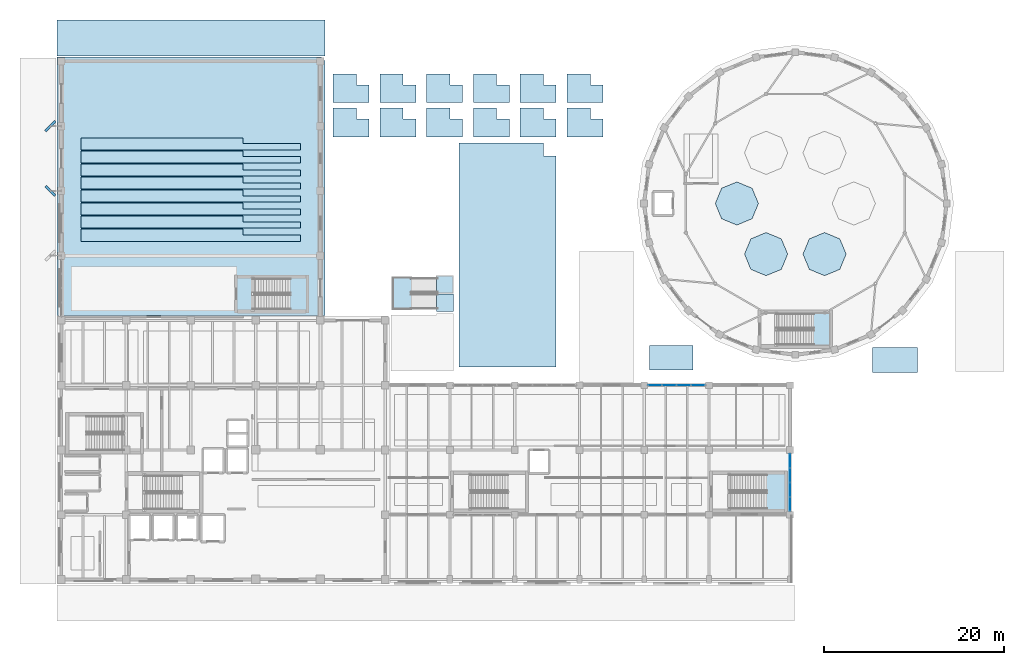
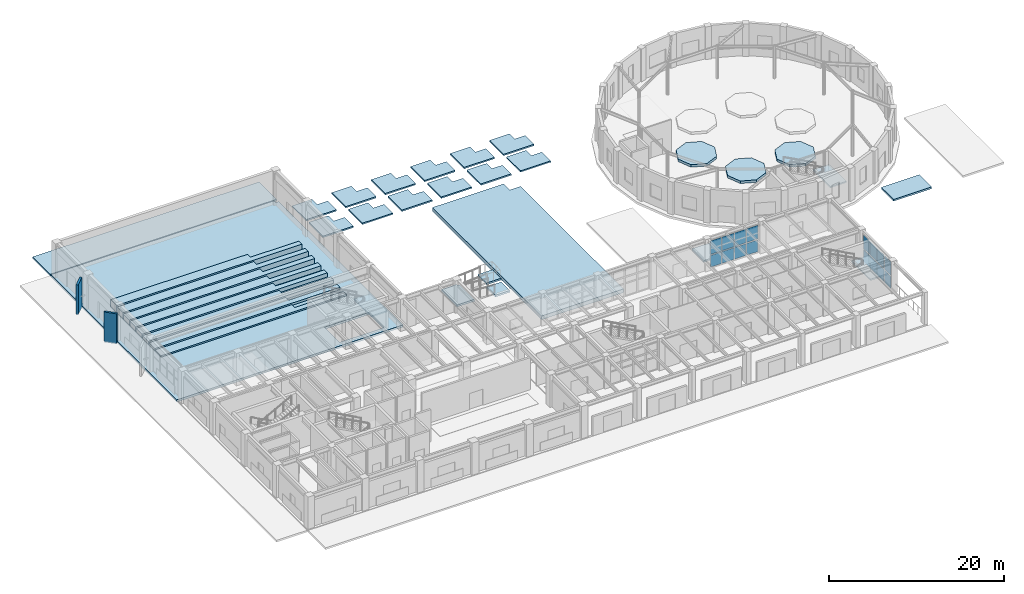
# One storey, part 21 of 39: 34 slabs, 18 plates, 5 elements without a shape of their own.
"""IFC4 building model written with IfcOpenShell, lengths in metres."""

from ifc_helpers import new_model, si_unit, direction, frame, origin, origin_2d, place, context, subcontext, project, spatial, polyline, rectangle, outline, extrude, material, layer, layer_set, type_object, element, aggregate, save


model = new_model("IFC4")

# Units and contexts
model_context = context("Model", 3, precision=1e-05, world=origin(), true_north=direction((0.0, 1.0)))
body_context = subcontext(model_context, "Body", "Model", "MODEL_VIEW")
ifc_project = project(units=[si_unit("LENGTHUNIT", "METRE"), si_unit("AREAUNIT", "SQUARE_METRE"), si_unit("VOLUMEUNIT", "CUBIC_METRE"), si_unit("PLANEANGLEUNIT", "RADIAN"), si_unit("MASSUNIT", "GRAM", prefix="KILO")], contexts=[model_context])

# Site, building, storey
site_placement = place(None, origin())
site = spatial("IfcSite", under=ifc_project, at=site_placement, CompositionType="ELEMENT")
building_placement = place(site_placement, origin())
building = spatial("IfcBuilding", under=site, at=building_placement, Name="Kandorven Conservatory and Botanical Research Centre", CompositionType="ELEMENT")
storey_placement = place(building_placement, origin())
storey = spatial("IfcBuildingStorey", under=building, at=storey_placement, Name="L00", CompositionType="ELEMENT", Elevation=0.0)

# Curtain wall, plates
ifc_material_1 = material(Name="Bronze anodised thermally broken aluminium", Category="aluminium")
ifc_layer_1 = layer(ifc_material_1, 0.179931640625)
ifc_layer_set_1 = layer_set([ifc_layer_1], Name="Bronze anodised thermally broken aluminium")
curtain_wall_type = type_object("IfcCurtainWallType", Name="CW_Unitised", PredefinedType="USERDEFINED", material=ifc_layer_set_1)
curtain_wall_1_placement = place(storey_placement, origin())
curtain_wall_1 = element("IfcCurtainWall", 1, at=curtain_wall_1_placement, inside=storey, type_object=curtain_wall_type, Name="Visitor wing unitised curtain wall CW-VIS-N-L00-5", ObjectType="UNITISED GLAZING", PredefinedType="USERDEFINED")
ifc_material_2 = material(Name="Double-glazed solar-control low-E glass", Category="glass")
ifc_layer_2 = layer(ifc_material_2, 0.028076171875)
ifc_layer_set_2 = layer_set([ifc_layer_2], Name="Double-glazed solar-control low-E glass")
plate_type_1 = type_object("IfcPlateType", Name="CW_Panel", PredefinedType="CURTAIN_PANEL", material=ifc_layer_set_2)
plate_1_placement = place(storey_placement, frame((72.001220703125, 27.60009765625, 0.14990234375), z_axis=(0.0, 0.0, 1.0), x_axis=(1.0, 0.0, 0.0)))
plate_1 = element("IfcPlate", 2, at=plate_1_placement, type_object=plate_type_1, Name="CW-01 panel 1.1", PredefinedType="CURTAIN_PANEL", context=body_context, shape_type="SweptSolid", body=[
    extrude(rectangle(XDim=1.492431640625, YDim=0.028076171875, at=origin_2d()), origin(), (0.0, 0.0, 1.0), 1.625),
])
plate_2_placement = place(storey_placement, frame((72.001220703125, 27.60009765625, 1.925048828125), z_axis=(0.0, 0.0, 1.0), x_axis=(1.0, 0.0, 0.0)))
plate_2 = element("IfcPlate", 3, at=plate_2_placement, type_object=plate_type_1, Name="CW-01 panel 1.2", PredefinedType="CURTAIN_PANEL", context=body_context, shape_type="SweptSolid", body=[
    extrude(rectangle(XDim=1.492431640625, YDim=0.028076171875, at=origin_2d()), origin(), (0.0, 0.0, 1.0), 1.89501953125),
])
plate_3_placement = place(storey_placement, frame((73.59375, 27.60009765625, 0.14990234375), z_axis=(0.0, 0.0, 1.0), x_axis=(1.0, 0.0, 0.0)))
plate_3 = element("IfcPlate", 4, at=plate_3_placement, type_object=plate_type_1, Name="CW-01 panel 2.1", PredefinedType="CURTAIN_PANEL", context=body_context, shape_type="SweptSolid", body=[
    extrude(rectangle(XDim=1.532470703125, YDim=0.028076171875, at=origin_2d()), origin(), (0.0, 0.0, 1.0), 1.625),
])
plate_4_placement = place(storey_placement, frame((73.59375, 27.60009765625, 1.925048828125), z_axis=(0.0, 0.0, 1.0), x_axis=(1.0, 0.0, 0.0)))
plate_4 = element("IfcPlate", 5, at=plate_4_placement, type_object=plate_type_1, Name="CW-01 panel 2.2", PredefinedType="CURTAIN_PANEL", context=body_context, shape_type="SweptSolid", body=[
    extrude(rectangle(XDim=1.532470703125, YDim=0.028076171875, at=origin_2d()), origin(), (0.0, 0.0, 1.0), 1.89501953125),
])
plate_5_placement = place(storey_placement, frame((75.206298828125, 27.60009765625, 0.14990234375), z_axis=(0.0, 0.0, 1.0), x_axis=(1.0, 0.0, 0.0)))
plate_5 = element("IfcPlate", 6, at=plate_5_placement, type_object=plate_type_1, Name="CW-01 panel 3.1", PredefinedType="CURTAIN_PANEL", context=body_context, shape_type="SweptSolid", body=[
    extrude(rectangle(XDim=1.532470703125, YDim=0.028076171875, at=origin_2d()), origin(), (0.0, 0.0, 1.0), 1.625),
])
plate_6_placement = place(storey_placement, frame((75.206298828125, 27.60009765625, 1.925048828125), z_axis=(0.0, 0.0, 1.0), x_axis=(1.0, 0.0, 0.0)))
plate_6 = element("IfcPlate", 7, at=plate_6_placement, type_object=plate_type_1, Name="CW-01 panel 3.2", PredefinedType="CURTAIN_PANEL", context=body_context, shape_type="SweptSolid", body=[
    extrude(rectangle(XDim=1.532470703125, YDim=0.028076171875, at=origin_2d()), origin(), (0.0, 0.0, 1.0), 1.89501953125),
])
plate_7_placement = place(storey_placement, frame((76.798828125, 27.60009765625, 0.14990234375), z_axis=(0.0, 0.0, 1.0), x_axis=(1.0, 0.0, 0.0)))
plate_7 = element("IfcPlate", 8, at=plate_7_placement, type_object=plate_type_1, Name="CW-01 panel 4.1", PredefinedType="CURTAIN_PANEL", context=body_context, shape_type="SweptSolid", body=[
    extrude(rectangle(XDim=1.492431640625, YDim=0.028076171875, at=origin_2d()), origin(), (0.0, 0.0, 1.0), 1.625),
])
plate_8_placement = place(storey_placement, frame((76.798828125, 27.60009765625, 1.925048828125), z_axis=(0.0, 0.0, 1.0), x_axis=(1.0, 0.0, 0.0)))
plate_8 = element("IfcPlate", 9, at=plate_8_placement, type_object=plate_type_1, Name="CW-01 panel 4.2", PredefinedType="CURTAIN_PANEL", context=body_context, shape_type="SweptSolid", body=[
    extrude(rectangle(XDim=1.492431640625, YDim=0.028076171875, at=origin_2d()), origin(), (0.0, 0.0, 1.0), 1.89501953125),
])
aggregate(curtain_wall_1, [plate_1, plate_2, plate_3, plate_4, plate_5, plate_6, plate_7, plate_8])

curtain_wall_2_placement = place(storey_placement, origin())
curtain_wall_2 = element("IfcCurtainWall", 10, at=curtain_wall_2_placement, inside=storey, type_object=curtain_wall_type, Name="Visitor wing east curtain wall CW-VIS-E-L00-1", ObjectType="UNITISED GLAZING", PredefinedType="USERDEFINED")
plate_9_placement = place(storey_placement, frame((87.0, 14.4013671875, 0.14990234375), z_axis=(0.0, 0.0, 1.0), x_axis=(0.0, 1.0, 0.0)))
plate_9 = element("IfcPlate", 11, at=plate_9_placement, type_object=plate_type_1, Name="CW-01 panel 1.1", PredefinedType="CURTAIN_PANEL", context=body_context, shape_type="SweptSolid", body=[
    extrude(rectangle(XDim=1.492431640625, YDim=0.028076171875, at=origin_2d()), origin(), (0.0, 0.0, 1.0), 1.625),
])
plate_10_placement = place(storey_placement, frame((87.0, 14.4013671875, 1.925048828125), z_axis=(0.0, 0.0, 1.0), x_axis=(0.0, 1.0, 0.0)))
plate_10 = element("IfcPlate", 12, at=plate_10_placement, type_object=plate_type_1, Name="CW-01 panel 1.2", PredefinedType="CURTAIN_PANEL", context=body_context, shape_type="SweptSolid", body=[
    extrude(rectangle(XDim=1.492431640625, YDim=0.028076171875, at=origin_2d()), origin(), (0.0, 0.0, 1.0), 1.89501953125),
])
plate_11_placement = place(storey_placement, frame((87.0, 15.99365234375, 0.14990234375), z_axis=(0.0, 0.0, 1.0), x_axis=(0.0, 1.0, 0.0)))
plate_11 = element("IfcPlate", 13, at=plate_11_placement, type_object=plate_type_1, Name="CW-01 panel 2.1", PredefinedType="CURTAIN_PANEL", context=body_context, shape_type="SweptSolid", body=[
    extrude(rectangle(XDim=1.532470703125, YDim=0.028076171875, at=origin_2d()), origin(), (0.0, 0.0, 1.0), 1.625),
])
plate_12_placement = place(storey_placement, frame((87.0, 15.99365234375, 1.925048828125), z_axis=(0.0, 0.0, 1.0), x_axis=(0.0, 1.0, 0.0)))
plate_12 = element("IfcPlate", 14, at=plate_12_placement, type_object=plate_type_1, Name="CW-01 panel 2.2", PredefinedType="CURTAIN_PANEL", context=body_context, shape_type="SweptSolid", body=[
    extrude(rectangle(XDim=1.532470703125, YDim=0.028076171875, at=origin_2d()), origin(), (0.0, 0.0, 1.0), 1.89501953125),
])
plate_13_placement = place(storey_placement, frame((87.0, 17.606201171875, 0.14990234375), z_axis=(0.0, 0.0, 1.0), x_axis=(0.0, 1.0, 0.0)))
plate_13 = element("IfcPlate", 15, at=plate_13_placement, type_object=plate_type_1, Name="CW-01 panel 3.1", PredefinedType="CURTAIN_PANEL", context=body_context, shape_type="SweptSolid", body=[
    extrude(rectangle(XDim=1.532470703125, YDim=0.028076171875, at=origin_2d()), origin(), (0.0, 0.0, 1.0), 1.625),
])
plate_14_placement = place(storey_placement, frame((87.0, 17.606201171875, 1.925048828125), z_axis=(0.0, 0.0, 1.0), x_axis=(0.0, 1.0, 0.0)))
plate_14 = element("IfcPlate", 16, at=plate_14_placement, type_object=plate_type_1, Name="CW-01 panel 3.2", PredefinedType="CURTAIN_PANEL", context=body_context, shape_type="SweptSolid", body=[
    extrude(rectangle(XDim=1.532470703125, YDim=0.028076171875, at=origin_2d()), origin(), (0.0, 0.0, 1.0), 1.89501953125),
])
plate_15_placement = place(storey_placement, frame((87.0, 19.19873046875, 0.14990234375), z_axis=(0.0, 0.0, 1.0), x_axis=(0.0, 1.0, 0.0)))
plate_15 = element("IfcPlate", 17, at=plate_15_placement, type_object=plate_type_1, Name="CW-01 panel 4.1", PredefinedType="CURTAIN_PANEL", context=body_context, shape_type="SweptSolid", body=[
    extrude(rectangle(XDim=1.492431640625, YDim=0.028076171875, at=origin_2d()), origin(), (0.0, 0.0, 1.0), 1.625),
])
plate_16_placement = place(storey_placement, frame((87.0, 19.19873046875, 1.925048828125), z_axis=(0.0, 0.0, 1.0), x_axis=(0.0, 1.0, 0.0)))
plate_16 = element("IfcPlate", 18, at=plate_16_placement, type_object=plate_type_1, Name="CW-01 panel 4.2", PredefinedType="CURTAIN_PANEL", context=body_context, shape_type="SweptSolid", body=[
    extrude(rectangle(XDim=1.492431640625, YDim=0.028076171875, at=origin_2d()), origin(), (0.0, 0.0, 1.0), 1.89501953125),
])
aggregate(curtain_wall_2, [plate_9, plate_10, plate_11, plate_12, plate_13, plate_14, plate_15, plate_16])

# Plates
ifc_material_3 = material(Name="Precast concrete C40/50 (M50)", Category="concrete")
ifc_layer_3 = layer(ifc_material_3, 0.25)
ifc_layer_set_3 = layer_set([ifc_layer_3], Name="Precast concrete C40/50 (M50)")
plate_type_2 = type_object("IfcPlateType", Name="Fin_BF-03", PredefinedType="USERDEFINED", material=ifc_layer_set_3)
plate_17_placement = place(storey_placement, frame((4.780029296875, 49.199951171875, -0.14990234375), z_axis=(0.0, 0.0, 1.0), x_axis=(-0.707106781187, 0.707106781187, 0.0)))
element("IfcPlate", 19, at=plate_17_placement, inside=storey, type_object=plate_type_2, Name="Auditorium sculpted concrete acoustic fin BF-03", ObjectType="SOLAR FIN", PredefinedType="USERDEFINED", context=body_context, shape_type="SweptSolid", body=[
    extrude(rectangle(XDim=1.52001953125, YDim=0.25, at=origin_2d()), origin(), (0.0, 0.0, 1.0), 4.199951171875),
])
ifc_material_4 = material(Name="Precast concrete C40/50 (M50)", Category="concrete")
ifc_layer_4 = layer(ifc_material_4, 0.2548828125)
ifc_layer_set_4 = layer_set([ifc_layer_4], Name="Precast concrete C40/50 (M50)")
plate_type_3 = type_object("IfcPlateType", Name="Fin_BF-04", PredefinedType="USERDEFINED", material=ifc_layer_set_4)
plate_18_placement = place(storey_placement, frame((4.780029296875, 56.39990234375, -0.14990234375), z_axis=(0.0, 0.0, 1.0), x_axis=(0.707106781187, 0.707106781187, 0.0)))
element("IfcPlate", 20, at=plate_18_placement, inside=storey, type_object=plate_type_3, Name="Auditorium sculpted concrete acoustic fin BF-04", ObjectType="SOLAR FIN", PredefinedType="USERDEFINED", context=body_context, shape_type="SweptSolid", body=[
    extrude(rectangle(XDim=1.580078125, YDim=0.2548828125, at=origin_2d()), origin(), (0.0, 0.0, 1.0), 4.199951171875),
])

# Slabs
ifc_material_5 = material(Name="Concrete C32/40 (M40)", Category="concrete")
ifc_layer_5 = layer(ifc_material_5, 0.39990234375)
ifc_layer_set_5 = layer_set([ifc_layer_5], Name="Concrete C32/40 (M40)")
slab_type_1 = type_object("IfcSlabType", Name="Slab_BS-04", PredefinedType="BASESLAB", material=ifc_layer_set_5)
slab_1_placement = place(storey_placement, frame((0.0, 0.0, -1.0)))
element("IfcSlab", 21, at=slab_1_placement, inside=storey, type_object=slab_type_1, Name="Shaded courtyard evaporative cooling water basin slab", PredefinedType="BASESLAB", context=body_context, shape_type="SweptSolid", body=[
    extrude(outline(polyline([(50.199951171875, 29.60009765625), (61.0, 29.60009765625), (61.0, 53.10009765625), (59.60009765625, 53.10009765625), (59.60009765625, 54.5), (50.199951171875, 54.5), (50.199951171875, 29.60009765625)])), origin(), (0.0, 0.0, 1.0), 0.52001953125),
])
ifc_material_6 = material(Name="Concrete C32/40 (M40)", Category="concrete")
ifc_layer_6 = layer(ifc_material_6, 0.300048828125)
ifc_layer_set_6 = layer_set([ifc_layer_6], Name="Concrete C32/40 (M40)")
slab_type_2 = type_object("IfcSlabType", Name="Slab_SL-03", PredefinedType="FLOOR", material=ifc_layer_set_6)
slab_2_placement = place(storey_placement, frame((0.0, 0.0, -0.300048828125)))
element("IfcSlab", 22, at=slab_2_placement, inside=storey, type_object=slab_type_2, Name="Botanical symposium auditorium L00 floor slab", PredefinedType="FLOOR", context=body_context, shape_type="SweptSolid", body=[
    extrude(outline(polyline([(5.5, 35.360107421875), (35.300048828125, 35.360107421875), (35.300048828125, 63.699951171875), (34.89990234375, 63.699951171875), (34.89990234375, 64.10009765625), (5.5, 64.10009765625), (5.5, 35.360107421875)]), holes=[polyline([(27.300048828125, 36.0), (33.199951171875, 36.0), (33.199951171875, 39.449951171875), (27.300048828125, 39.449951171875), (27.300048828125, 36.0)])]), origin(), (0.0, 0.0, 1.0), 0.300048828125),
])
ifc_material_7 = material(Name="Concrete C32/40 (M40)", Category="concrete")
ifc_layer_7 = layer(ifc_material_7, 0.25)
ifc_layer_set_7 = layer_set([ifc_layer_7], Name="Concrete C32/40 (M40)")
slab_type_3 = type_object("IfcSlabType", Name="Slab_SL-06", PredefinedType="FLOOR", material=ifc_layer_set_7)
slab_3_placement = place(storey_placement, frame((0.0, 0.0, -0.25)))
element("IfcSlab", 23, at=slab_3_placement, inside=storey, type_object=slab_type_3, Name="Courtyard accessible ramp upper arrival deck L00", PredefinedType="FLOOR", context=body_context, shape_type="SweptSolid", body=[
    extrude(outline(polyline([(47.699951171875, 37.820068359375), (49.60009765625, 37.820068359375), (49.60009765625, 39.800048828125), (47.699951171875, 39.800048828125), (47.699951171875, 37.820068359375)])), origin(), (0.0, 0.0, 1.0), 0.25),
])
slab_4_placement = place(storey_placement, frame((0.0, 0.0, -0.25)))
element("IfcSlab", 24, at=slab_4_placement, inside=storey, type_object=slab_type_3, Name="North service and fire-tender access apron", PredefinedType="FLOOR", context=body_context, shape_type="SweptSolid", body=[
    extrude(outline(polyline([(5.5, 64.199951171875), (35.300048828125, 64.199951171875), (35.300048828125, 68.199951171875), (5.5, 68.199951171875), (5.5, 64.199951171875)])), origin(), (0.0, 0.0, 1.0), 0.25),
])
slab_5_placement = place(storey_placement, frame((0.0, 0.0, -0.25)))
element("IfcSlab", 25, at=slab_5_placement, inside=storey, type_object=slab_type_3, Name="Conservatory south-west entry landing apron", PredefinedType="FLOOR", context=body_context, shape_type="SweptSolid", body=[
    extrude(outline(polyline([(71.39990234375, 29.300048828125), (76.199951171875, 29.300048828125), (76.199951171875, 32.0), (71.39990234375, 32.0), (71.39990234375, 29.300048828125)])), origin(), (0.0, 0.0, 1.0), 0.25),
])
slab_6_placement = place(storey_placement, frame((0.0, 0.0, -0.25)))
element("IfcSlab", 26, at=slab_6_placement, inside=storey, type_object=slab_type_3, Name="Conservatory south-east entry landing apron", PredefinedType="FLOOR", context=body_context, shape_type="SweptSolid", body=[
    extrude(outline(polyline([(96.199951171875, 29.0), (101.199951171875, 29.0), (101.199951171875, 31.800048828125), (96.199951171875, 31.800048828125), (96.199951171875, 29.0)])), origin(), (0.0, 0.0, 1.0), 0.25),
])
ifc_material_8 = material(Name="Concrete C32/40 (M40)", Category="concrete")
ifc_layer_8 = layer(ifc_material_8, 0.239990234375)
ifc_layer_set_8 = layer_set([ifc_layer_8], Name="Concrete C32/40 (M40)")
slab_type_4 = type_object("IfcSlabType", Name="Slab_SL-07", PredefinedType="FLOOR", material=ifc_layer_set_8)
slab_7_placement = place(storey_placement, frame((0.0, 0.0, -0.5)))
element("IfcSlab", 27, at=slab_7_placement, inside=storey, type_object=slab_type_4, Name="Courtyard accessible ramp intermediate landing (-0.30 m)", PredefinedType="LANDING", context=body_context, shape_type="SweptSolid", body=[
    extrude(outline(polyline([(42.800048828125, 36.0), (45.050048828125, 36.0), (45.050048828125, 39.35009765625), (44.800048828125, 39.35009765625), (44.800048828125, 39.60009765625), (42.800048828125, 39.60009765625), (42.800048828125, 36.0)])), origin(), (0.0, 0.0, 1.0), 0.260009765625),
])
slab_8_placement = place(storey_placement, frame((0.0, 0.0, -0.739990234375)))
element("IfcSlab", 28, at=slab_8_placement, inside=storey, type_object=slab_type_4, Name="Courtyard accessible ramp lower garden landing (-0.48 m)", PredefinedType="LANDING", context=body_context, shape_type="SweptSolid", body=[
    extrude(outline(polyline([(47.699951171875, 35.800048828125), (49.60009765625, 35.800048828125), (49.60009765625, 37.760009765625), (47.699951171875, 37.760009765625), (47.699951171875, 35.800048828125)])), origin(), (0.0, 0.0, 1.0), 0.260009765625),
])
ifc_material_9 = material(Name="Concrete C32/40 (M40)", Category="concrete")
ifc_layer_9 = layer(ifc_material_9, 0.169921875)
ifc_layer_set_9 = layer_set([ifc_layer_9], Name="Concrete C32/40 (M40)")
slab_type_5 = type_object("IfcSlabType", Name="Slab_SL-13", PredefinedType="FLOOR", material=ifc_layer_set_9)
slab_9_placement = place(storey_placement, origin())
element("IfcSlab", 29, at=slab_9_placement, inside=storey, type_object=slab_type_5, Name="Auditorium stepped seating tier slab 1", PredefinedType="FLOOR", context=body_context, shape_type="SweptSolid", body=[
    extrude(outline(polyline([(8.199951171875, 43.60009765625), (32.60009765625, 43.60009765625), (32.60009765625, 44.300048828125), (26.199951171875, 44.300048828125), (26.199951171875, 44.949951171875), (8.199951171875, 44.949951171875), (8.199951171875, 43.60009765625)])), origin(), (0.0, 0.0, 1.0), 0.199951171875),
])
slab_10_placement = place(storey_placement, origin())
element("IfcSlab", 30, at=slab_10_placement, inside=storey, type_object=slab_type_5, Name="Auditorium stepped seating tier slab 5", PredefinedType="FLOOR", context=body_context, shape_type="SweptSolid", body=[
    extrude(outline(polyline([(8.199951171875, 49.39990234375), (32.60009765625, 49.39990234375), (32.60009765625, 50.10009765625), (26.199951171875, 50.10009765625), (26.199951171875, 50.75), (8.199951171875, 50.75), (8.199951171875, 49.39990234375)])), origin(), (0.0, 0.0, 1.0), 0.679931640625),
])
slab_11_placement = place(storey_placement, frame((0.0, 0.0, -0.199951171875)))
element("IfcSlab", 31, at=slab_11_placement, inside=storey, type_object=slab_type_5, Name="Shaded courtyard stepped stone terrace slab 01", PredefinedType="FLOOR", context=body_context, shape_type="SweptSolid", body=[
    extrude(outline(polyline([(36.199951171875, 55.199951171875), (40.199951171875, 55.199951171875), (40.199951171875, 57.199951171875), (38.800048828125, 57.199951171875), (38.800048828125, 58.39990234375), (36.199951171875, 58.39990234375), (36.199951171875, 55.199951171875)])), origin(), (0.0, 0.0, 1.0), 0.199951171875),
])
slab_12_placement = place(storey_placement, frame((0.0, 0.0, -0.199951171875)))
element("IfcSlab", 32, at=slab_12_placement, inside=storey, type_object=slab_type_5, Name="Shaded courtyard stepped stone terrace slab 05", PredefinedType="FLOOR", context=body_context, shape_type="SweptSolid", body=[
    extrude(outline(polyline([(57.0, 55.199951171875), (61.0, 55.199951171875), (61.0, 57.199951171875), (59.60009765625, 57.199951171875), (59.60009765625, 58.39990234375), (57.0, 58.39990234375), (57.0, 55.199951171875)])), origin(), (0.0, 0.0, 1.0), 0.199951171875),
])
slab_13_placement = place(storey_placement, frame((0.0, 0.0, -0.199951171875)))
element("IfcSlab", 33, at=slab_13_placement, inside=storey, type_object=slab_type_5, Name="Shaded courtyard stepped stone terrace slab 09", PredefinedType="FLOOR", context=body_context, shape_type="SweptSolid", body=[
    extrude(outline(polyline([(46.60009765625, 59.0), (50.60009765625, 59.0), (50.60009765625, 61.0), (49.199951171875, 61.0), (49.199951171875, 62.199951171875), (46.60009765625, 62.199951171875), (46.60009765625, 59.0)])), origin(), (0.0, 0.0, 1.0), 0.199951171875),
])
ifc_material_10 = material(Name="Concrete C32/40 (M40)", Category="concrete")
ifc_layer_10 = layer(ifc_material_10, 0.159912109375)
ifc_layer_set_10 = layer_set([ifc_layer_10], Name="Concrete C32/40 (M40)")
slab_type_6 = type_object("IfcSlabType", Name="Slab_SL-14", PredefinedType="FLOOR", material=ifc_layer_set_10)
slab_14_placement = place(storey_placement, origin())
element("IfcSlab", 34, at=slab_14_placement, inside=storey, type_object=slab_type_6, Name="Auditorium stepped seating tier slab 2", PredefinedType="FLOOR", context=body_context, shape_type="SweptSolid", body=[
    extrude(outline(polyline([(8.199951171875, 45.050048828125), (32.60009765625, 45.050048828125), (32.60009765625, 45.75), (26.199951171875, 45.75), (26.199951171875, 46.39990234375), (8.199951171875, 46.39990234375), (8.199951171875, 45.050048828125)])), origin(), (0.0, 0.0, 1.0), 0.320068359375),
])
slab_15_placement = place(storey_placement, origin())
element("IfcSlab", 35, at=slab_15_placement, inside=storey, type_object=slab_type_6, Name="Auditorium stepped seating tier slab 6", PredefinedType="FLOOR", context=body_context, shape_type="SweptSolid", body=[
    extrude(outline(polyline([(8.199951171875, 50.85009765625), (32.60009765625, 50.85009765625), (32.60009765625, 51.550048828125), (26.199951171875, 51.550048828125), (26.199951171875, 52.199951171875), (8.199951171875, 52.199951171875), (8.199951171875, 50.85009765625)])), origin(), (0.0, 0.0, 1.0), 0.800048828125),
])
slab_16_placement = place(storey_placement, frame((0.0, 0.0, -0.199951171875)))
element("IfcSlab", 36, at=slab_16_placement, inside=storey, type_object=slab_type_6, Name="Shaded courtyard stepped stone terrace slab 02", PredefinedType="FLOOR", context=body_context, shape_type="SweptSolid", body=[
    extrude(outline(polyline([(41.39990234375, 55.199951171875), (45.39990234375, 55.199951171875), (45.39990234375, 57.199951171875), (44.0, 57.199951171875), (44.0, 58.39990234375), (41.39990234375, 58.39990234375), (41.39990234375, 55.199951171875)])), origin(), (0.0, 0.0, 1.0), 0.199951171875),
])
slab_17_placement = place(storey_placement, frame((0.0, 0.0, -0.199951171875)))
element("IfcSlab", 37, at=slab_17_placement, inside=storey, type_object=slab_type_6, Name="Shaded courtyard stepped stone terrace slab 06", PredefinedType="FLOOR", context=body_context, shape_type="SweptSolid", body=[
    extrude(outline(polyline([(62.199951171875, 55.199951171875), (66.199951171875, 55.199951171875), (66.199951171875, 57.199951171875), (64.800048828125, 57.199951171875), (64.800048828125, 58.39990234375), (62.199951171875, 58.39990234375), (62.199951171875, 55.199951171875)])), origin(), (0.0, 0.0, 1.0), 0.199951171875),
])
slab_18_placement = place(storey_placement, frame((0.0, 0.0, -0.199951171875)))
element("IfcSlab", 38, at=slab_18_placement, inside=storey, type_object=slab_type_6, Name="Shaded courtyard stepped stone terrace slab 10", PredefinedType="FLOOR", context=body_context, shape_type="SweptSolid", body=[
    extrude(outline(polyline([(51.800048828125, 59.0), (55.800048828125, 59.0), (55.800048828125, 61.0), (54.39990234375, 61.0), (54.39990234375, 62.199951171875), (51.800048828125, 62.199951171875), (51.800048828125, 59.0)])), origin(), (0.0, 0.0, 1.0), 0.199951171875),
])
ifc_material_11 = material(Name="Concrete C32/40 (M40)", Category="concrete")
ifc_layer_11 = layer(ifc_material_11, 0.14990234375)
ifc_layer_set_11 = layer_set([ifc_layer_11], Name="Concrete C32/40 (M40)")
slab_type_7 = type_object("IfcSlabType", Name="Slab_SL-15", PredefinedType="FLOOR", material=ifc_layer_set_11)
slab_19_placement = place(storey_placement, origin())
element("IfcSlab", 39, at=slab_19_placement, inside=storey, type_object=slab_type_7, Name="Auditorium stepped seating tier slab 3", PredefinedType="FLOOR", context=body_context, shape_type="SweptSolid", body=[
    extrude(outline(polyline([(8.199951171875, 46.5), (32.60009765625, 46.5), (32.60009765625, 47.199951171875), (26.199951171875, 47.199951171875), (26.199951171875, 47.85009765625), (8.199951171875, 47.85009765625), (8.199951171875, 46.5)])), origin(), (0.0, 0.0, 1.0), 0.43994140625),
])
slab_20_placement = place(storey_placement, origin())
element("IfcSlab", 40, at=slab_20_placement, inside=storey, type_object=slab_type_7, Name="Auditorium stepped seating tier slab 7", PredefinedType="FLOOR", context=body_context, shape_type="SweptSolid", body=[
    extrude(outline(polyline([(8.199951171875, 52.300048828125), (32.60009765625, 52.300048828125), (32.60009765625, 53.0), (26.199951171875, 53.0), (26.199951171875, 53.64990234375), (8.199951171875, 53.64990234375), (8.199951171875, 52.300048828125)])), origin(), (0.0, 0.0, 1.0), 0.919921875),
])
slab_21_placement = place(storey_placement, origin())
element("IfcSlab", 41, at=slab_21_placement, inside=storey, type_object=slab_type_7, Name="Conservatory octagonal botanical planting bed plinth 4", PredefinedType="FLOOR", context=body_context, shape_type="SweptSolid", body=[
    extrude(outline(polyline([(83.5, 47.800048828125), (82.797119140625, 49.4970703125), (81.10009765625, 50.199951171875), (79.40283203125, 49.4970703125), (78.699951171875, 47.800048828125), (79.40283203125, 46.102783203125), (81.10009765625, 45.39990234375), (82.797119140625, 46.102783203125), (83.5, 47.800048828125)])), origin(), (0.0, 0.0, 1.0), 0.35009765625),
])
slab_22_placement = place(storey_placement, origin())
element("IfcSlab", 42, at=slab_22_placement, inside=storey, type_object=slab_type_7, Name="Conservatory octagonal botanical planting bed plinth 5", PredefinedType="FLOOR", context=body_context, shape_type="SweptSolid", body=[
    extrude(outline(polyline([(86.75, 42.1708984375), (86.047119140625, 43.867919921875), (84.35009765625, 44.57080078125), (82.65283203125, 43.867919921875), (81.949951171875, 42.1708984375), (82.65283203125, 40.4736328125), (84.35009765625, 39.770751953125), (86.047119140625, 40.4736328125), (86.75, 42.1708984375)])), origin(), (0.0, 0.0, 1.0), 0.35009765625),
])
slab_23_placement = place(storey_placement, origin())
element("IfcSlab", 43, at=slab_23_placement, inside=storey, type_object=slab_type_7, Name="Conservatory octagonal botanical planting bed plinth 6", PredefinedType="FLOOR", context=body_context, shape_type="SweptSolid", body=[
    extrude(outline(polyline([(93.25, 42.1708984375), (92.547119140625, 43.867919921875), (90.85009765625, 44.57080078125), (89.15283203125, 43.867919921875), (88.449951171875, 42.1708984375), (89.15283203125, 40.4736328125), (90.85009765625, 39.770751953125), (92.547119140625, 40.4736328125), (93.25, 42.1708984375)])), origin(), (0.0, 0.0, 1.0), 0.35009765625),
])
slab_24_placement = place(storey_placement, frame((0.0, 0.0, -0.199951171875)))
element("IfcSlab", 44, at=slab_24_placement, inside=storey, type_object=slab_type_7, Name="Shaded courtyard stepped stone terrace slab 03", PredefinedType="FLOOR", context=body_context, shape_type="SweptSolid", body=[
    extrude(outline(polyline([(46.60009765625, 55.199951171875), (50.60009765625, 55.199951171875), (50.60009765625, 57.199951171875), (49.199951171875, 57.199951171875), (49.199951171875, 58.39990234375), (46.60009765625, 58.39990234375), (46.60009765625, 55.199951171875)])), origin(), (0.0, 0.0, 1.0), 0.199951171875),
])
slab_25_placement = place(storey_placement, frame((0.0, 0.0, -0.199951171875)))
element("IfcSlab", 45, at=slab_25_placement, inside=storey, type_object=slab_type_7, Name="Shaded courtyard stepped stone terrace slab 07", PredefinedType="FLOOR", context=body_context, shape_type="SweptSolid", body=[
    extrude(outline(polyline([(36.199951171875, 59.0), (40.199951171875, 59.0), (40.199951171875, 61.0), (38.800048828125, 61.0), (38.800048828125, 62.199951171875), (36.199951171875, 62.199951171875), (36.199951171875, 59.0)])), origin(), (0.0, 0.0, 1.0), 0.199951171875),
])
slab_26_placement = place(storey_placement, frame((0.0, 0.0, -0.199951171875)))
element("IfcSlab", 46, at=slab_26_placement, inside=storey, type_object=slab_type_7, Name="Shaded courtyard stepped stone terrace slab 11", PredefinedType="FLOOR", context=body_context, shape_type="SweptSolid", body=[
    extrude(outline(polyline([(57.0, 59.0), (61.0, 59.0), (61.0, 61.0), (59.60009765625, 61.0), (59.60009765625, 62.199951171875), (57.0, 62.199951171875), (57.0, 59.0)])), origin(), (0.0, 0.0, 1.0), 0.199951171875),
])
ifc_material_12 = material(Name="Concrete C32/40 (M40)", Category="concrete")
ifc_layer_12 = layer(ifc_material_12, 0.139892578125)
ifc_layer_set_12 = layer_set([ifc_layer_12], Name="Concrete C32/40 (M40)")
slab_type_8 = type_object("IfcSlabType", Name="Slab_SL-16", PredefinedType="FLOOR", material=ifc_layer_set_12)
slab_27_placement = place(storey_placement, origin())
element("IfcSlab", 47, at=slab_27_placement, inside=storey, type_object=slab_type_8, Name="Auditorium stepped seating tier slab 4", PredefinedType="FLOOR", context=body_context, shape_type="SweptSolid", body=[
    extrude(outline(polyline([(8.199951171875, 47.949951171875), (32.60009765625, 47.949951171875), (32.60009765625, 48.64990234375), (26.199951171875, 48.64990234375), (26.199951171875, 49.300048828125), (8.199951171875, 49.300048828125), (8.199951171875, 47.949951171875)])), origin(), (0.0, 0.0, 1.0), 0.56005859375),
])
slab_28_placement = place(storey_placement, origin())
element("IfcSlab", 48, at=slab_28_placement, inside=storey, type_object=slab_type_8, Name="Auditorium stepped seating tier slab 8", PredefinedType="FLOOR", context=body_context, shape_type="SweptSolid", body=[
    extrude(outline(polyline([(8.199951171875, 53.75), (32.60009765625, 53.75), (32.60009765625, 54.449951171875), (26.199951171875, 54.449951171875), (26.199951171875, 55.10009765625), (8.199951171875, 55.10009765625), (8.199951171875, 53.75)])), origin(), (0.0, 0.0, 1.0), 1.0400390625),
])
slab_29_placement = place(storey_placement, frame((0.0, 0.0, -0.199951171875)))
element("IfcSlab", 49, at=slab_29_placement, inside=storey, type_object=slab_type_8, Name="Shaded courtyard stepped stone terrace slab 04", PredefinedType="FLOOR", context=body_context, shape_type="SweptSolid", body=[
    extrude(outline(polyline([(51.800048828125, 55.199951171875), (55.800048828125, 55.199951171875), (55.800048828125, 57.199951171875), (54.39990234375, 57.199951171875), (54.39990234375, 58.39990234375), (51.800048828125, 58.39990234375), (51.800048828125, 55.199951171875)])), origin(), (0.0, 0.0, 1.0), 0.199951171875),
])
slab_30_placement = place(storey_placement, frame((0.0, 0.0, -0.199951171875)))
element("IfcSlab", 50, at=slab_30_placement, inside=storey, type_object=slab_type_8, Name="Shaded courtyard stepped stone terrace slab 08", PredefinedType="FLOOR", context=body_context, shape_type="SweptSolid", body=[
    extrude(outline(polyline([(41.39990234375, 59.0), (45.39990234375, 59.0), (45.39990234375, 61.0), (44.0, 61.0), (44.0, 62.199951171875), (41.39990234375, 62.199951171875), (41.39990234375, 59.0)])), origin(), (0.0, 0.0, 1.0), 0.199951171875),
])
slab_31_placement = place(storey_placement, frame((0.0, 0.0, -0.199951171875)))
element("IfcSlab", 51, at=slab_31_placement, inside=storey, type_object=slab_type_8, Name="Shaded courtyard stepped stone terrace slab 12", PredefinedType="FLOOR", context=body_context, shape_type="SweptSolid", body=[
    extrude(outline(polyline([(62.199951171875, 59.0), (66.199951171875, 59.0), (66.199951171875, 61.0), (64.800048828125, 61.0), (64.800048828125, 62.199951171875), (62.199951171875, 62.199951171875), (62.199951171875, 59.0)])), origin(), (0.0, 0.0, 1.0), 0.199951171875),
])

# Stair, slab
ifc_material_13 = material(Name="Concrete C32/40 (M40)", Category="concrete")
stair_type_1 = type_object("IfcStairType", Name="Stair_1820", PredefinedType="HALF_TURN_STAIR", material=ifc_material_13)
stair_1_placement = place(storey_placement, origin())
stair_1 = element("IfcStair", 52, at=stair_1_placement, inside=storey, type_object=stair_type_1, Name="L00 Visitor Wing Stair ST-V3B", PredefinedType="HALF_TURN_STAIR")
ifc_material_14 = material(Name="Concrete C32/40 (M40)", Category="concrete")
ifc_layer_13 = layer(ifc_material_14, 0.199951171875)
ifc_layer_set_13 = layer_set([ifc_layer_13], Name="Concrete C32/40 (M40)")
slab_type_9 = type_object("IfcSlabType", Name="StairLanding_200", PredefinedType="LANDING", material=ifc_layer_set_13)
slab_32_placement = place(storey_placement, frame((0.0, 0.0, 2.199951171875)))
slab_32 = element("IfcSlab", 53, at=slab_32_placement, type_object=slab_type_9, Name="ST-V3B landing 1", PredefinedType="LANDING", context=body_context, shape_type="SweptSolid", body=[
    extrude(outline(polyline([(84.259521484375, 13.610107421875), (86.6201171875, 13.610107421875), (86.6201171875, 17.8798828125), (84.259521484375, 17.8798828125), (84.259521484375, 13.610107421875)])), origin(), (0.0, 0.0, 1.0), 0.199951171875),
])
aggregate(stair_1, [slab_32])

ifc_material_15 = material(Name="Concrete C32/40 (M40)", Category="concrete")
stair_type_2 = type_object("IfcStairType", Name="Stair_1650", PredefinedType="HALF_TURN_STAIR", material=ifc_material_15)
stair_2_placement = place(storey_placement, origin())
stair_2 = element("IfcStair", 54, at=stair_2_placement, inside=storey, type_object=stair_type_2, Name="L00 Conservatory Canopy Stair ST-V1", PredefinedType="HALF_TURN_STAIR")
slab_33_placement = place(storey_placement, frame((0.0, 0.0, 2.199951171875)))
slab_33 = element("IfcSlab", 55, at=slab_33_placement, type_object=slab_type_9, Name="ST-V1 landing 1", PredefinedType="LANDING", context=body_context, shape_type="SweptSolid", body=[
    extrude(outline(polyline([(89.51953125, 31.860107421875), (91.639892578125, 31.860107421875), (91.639892578125, 35.7900390625), (89.51953125, 35.7900390625), (89.51953125, 31.860107421875)])), origin(), (0.0, 0.0, 1.0), 0.199951171875),
])
aggregate(stair_2, [slab_33])

stair_3_placement = place(storey_placement, origin())
stair_3 = element("IfcStair", 56, at=stair_3_placement, inside=storey, type_object=stair_type_2, Name="L00 Auditorium Gallery Stair ST-V2", PredefinedType="HALF_TURN_STAIR")
slab_34_placement = place(storey_placement, frame((0.0, 0.0, 2.199951171875)))
slab_34 = element("IfcSlab", 57, at=slab_34_placement, type_object=slab_type_9, Name="ST-V2 landing 1", PredefinedType="LANDING", context=body_context, shape_type="SweptSolid", body=[
    extrude(outline(polyline([(31.319580078125, 35.760009765625), (33.43994140625, 35.760009765625), (33.43994140625, 39.68994140625), (31.319580078125, 39.68994140625), (31.319580078125, 35.760009765625)])), origin(), (0.0, 0.0, 1.0), 0.199951171875),
])
aggregate(stair_3, [slab_34])

save(model, "model.ifc")
